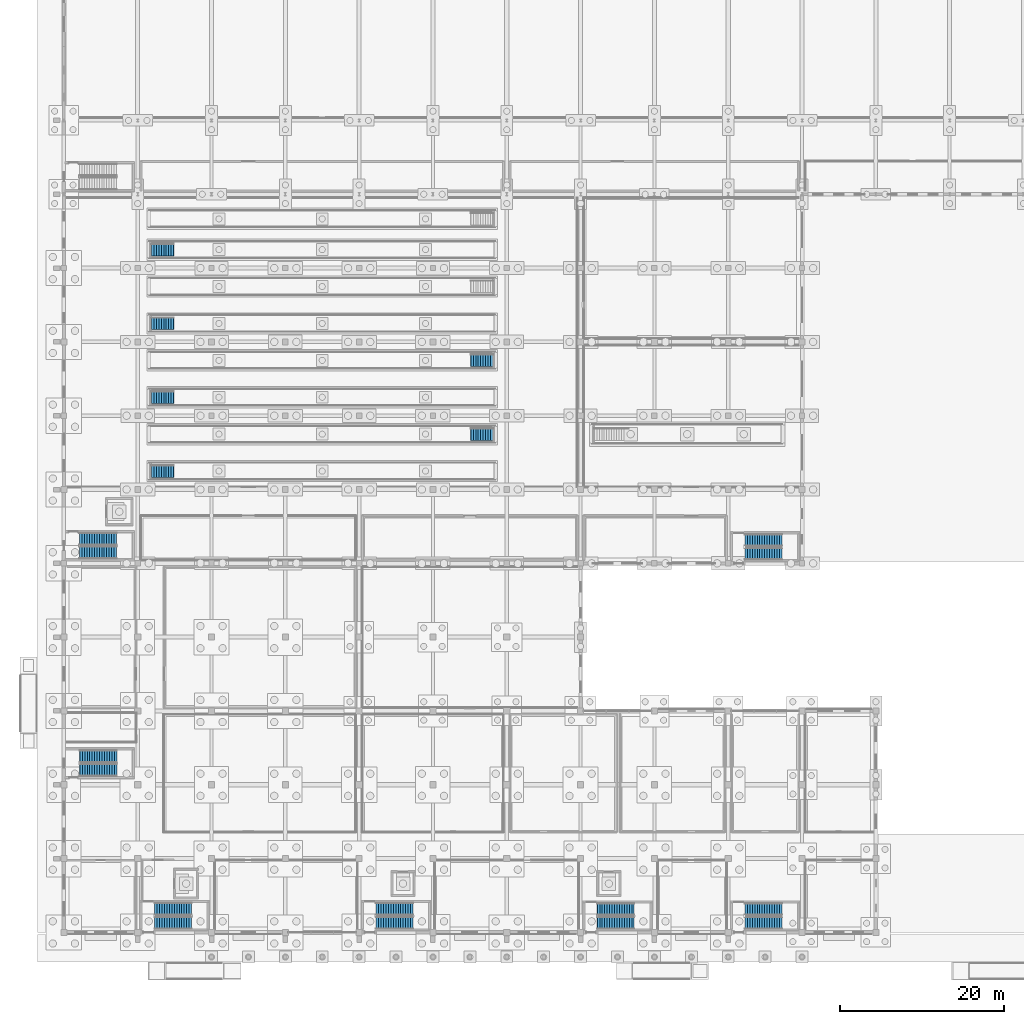
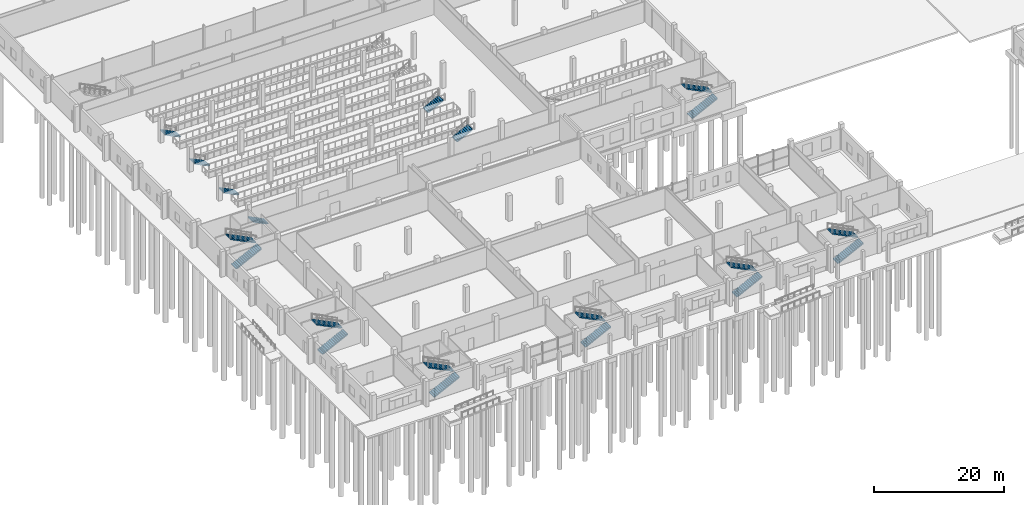
# One storey, part 86 of 112: 20 stair flights, 13 elements without a shape of their own.
"""IFC4 building model written with IfcOpenShell, lengths in metres."""

import ifcopenshell
import ifcopenshell.guid

model = None  # the IFC model being written
_history = None  # IfcOwnerHistory: only IFC2X3 demands one
_inside = {}  # id of a spatial element -> (the spatial element, [elements in it])
_under = {}  # id of a project, library or spatial element -> (it, [spatial elements below it])
_declared = {}  # id of a project -> (the project, [libraries it declares])
_typed = {}  # id of a type object -> (the type object, [elements of that type])
_made_of = {}  # id of a material, layer set ... -> (it, [elements and type objects made of it])


def new_model(schema):
    """Start an empty IFC model of exactly this schema.

    Asked for "IFC4X3", IfcOpenShell would pick the latest addendum, in which some entities
    have other attributes; the version numbers below select the first issue.
    IFC2X3 requires an IfcOwnerHistory on every rooted entity: one is made here for all.
    """
    global model, _history
    if schema == "IFC4X3":
        model = ifcopenshell.file(schema_version=(4, 3, 0, 0))
    else:
        model = ifcopenshell.file(schema=schema)
    _inside.clear()
    _under.clear()
    _declared.clear()
    _typed.clear()
    _made_of.clear()
    _history = None
    if model.schema == "IFC2X3":
        org = make("IfcOrganization", Name="unknown")
        user = make(
            "IfcPersonAndOrganization",
            ThePerson=make("IfcPerson", FamilyName="unknown"),
            TheOrganization=org,
        )
        app = make(
            "IfcApplication",
            ApplicationDeveloper=org,
            Version="unknown",
            ApplicationFullName="unknown",
            ApplicationIdentifier="unknown",
        )
        _history = make(
            "IfcOwnerHistory",
            OwningUser=user,
            OwningApplication=app,
            ChangeAction="ADDED",
            CreationDate=0,
        )
    return model


def make(cls, **values):
    """One entity of the class cls with the attributes given. An attribute that is None is left unset."""
    return model.create_entity(
        cls, **{name: value for name, value in values.items() if value is not None}
    )


def rooted(cls, **values):
    """An entity with a GlobalId (a new one), such as an element, a storey or a relation."""
    return make(cls, GlobalId=ifcopenshell.guid.new(), OwnerHistory=_history, **values)


def si_unit(unit_type, name, prefix=None):
    """IfcSIUnit, for example si_unit("LENGTHUNIT", "METRE", prefix="MILLI")."""
    return make("IfcSIUnit", UnitType=unit_type, Prefix=prefix, Name=name)


def assignment(units):
    """IfcUnitAssignment: the units of a project."""
    return None if units is None else make("IfcUnitAssignment", Units=units)


def point(xyz):
    """IfcCartesianPoint."""
    return None if xyz is None else make("IfcCartesianPoint", Coordinates=xyz)


def direction(xyz):
    """IfcDirection."""
    return None if xyz is None else make("IfcDirection", DirectionRatios=xyz)


def frame(location, z_axis=None, x_axis=None):
    """IfcAxis2Placement3D, a coordinate frame: its origin and axes. An axis left out is left unset."""
    return make(
        "IfcAxis2Placement3D",
        Location=point(location),
        Axis=direction(z_axis),
        RefDirection=direction(x_axis),
    )


def origin():
    """The frame at (0, 0, 0) with its axes left unset."""
    return frame((0.0, 0.0, 0.0))


def place(relative_to, where):
    """IfcLocalPlacement: puts the frame where relative to a parent placement (None: the world)."""
    return make(
        "IfcLocalPlacement", PlacementRelTo=relative_to, RelativePlacement=where
    )


def context(
    kind, dimensions, precision=None, world=None, true_north=None, identifier=None
):
    """IfcGeometricRepresentationContext, for example the 3D "Model" context."""
    return make(
        "IfcGeometricRepresentationContext",
        ContextIdentifier=identifier,
        ContextType=kind,
        CoordinateSpaceDimension=dimensions,
        Precision=precision,
        WorldCoordinateSystem=world,
        TrueNorth=true_north,
    )


def subcontext(parent, identifier, kind, view, scale=None):
    """IfcGeometricRepresentationSubContext, for example "Body" below "Model"."""
    return make(
        "IfcGeometricRepresentationSubContext",
        ContextIdentifier=identifier,
        ContextType=kind,
        ParentContext=parent,
        TargetScale=scale,
        TargetView=view,
    )


def project(units=None, contexts=None):
    """IfcProject with its units and contexts."""
    return rooted(
        "IfcProject",
        Name="project",
        RepresentationContexts=contexts,
        UnitsInContext=assignment(units),
    )


def spatial(cls, under=None, at=None, **own):
    """A site, building, storey or space (cls), placed at a placement, below another one or the project."""
    s = rooted(cls, ObjectPlacement=at, **own)
    if under is not None:
        _under.setdefault(under.id(), (under, []))[1].append(s)
    return s


def polyline(points):
    """IfcPolyline through the points."""
    return make("IfcPolyline", Points=[point(p) for p in points])


def outline(outer, holes=None, kind="AREA"):
    """IfcArbitraryClosedProfileDef: a profile drawn as a closed curve; with holes, ...WithVoids."""
    if holes is None:
        return make("IfcArbitraryClosedProfileDef", ProfileType=kind, OuterCurve=outer)
    return make(
        "IfcArbitraryProfileDefWithVoids",
        ProfileType=kind,
        OuterCurve=outer,
        InnerCurves=holes,
    )


def extrude(swept, where, along, depth):
    """IfcExtrudedAreaSolid: the profile swept, set in the frame where, extruded along a direction by depth."""
    return make(
        "IfcExtrudedAreaSolid",
        SweptArea=swept,
        Position=where,
        ExtrudedDirection=direction(along),
        Depth=depth,
    )


def shape(context_of_items, identifier, shape_type, items):
    """IfcShapeRepresentation: the items that make up one representation, for example the "Body"."""
    return make(
        "IfcShapeRepresentation",
        ContextOfItems=context_of_items,
        RepresentationIdentifier=identifier,
        RepresentationType=shape_type,
        Items=items,
    )


def material(Name=None, Category=None):
    """IfcMaterial."""
    return make("IfcMaterial", Name=Name, Category=Category)


def made_of(thing, what):
    """Note that an element or type object is made of a material, layer set ...; save() writes the relation."""
    if what is not None:
        _made_of.setdefault(what.id(), (what, []))[1].append(thing)
    return thing


def type_object(cls, material=None, **own):
    """A type object (cls), such as IfcWallType, which elements share."""
    return made_of(rooted(cls, **own), material)


def element(
    cls,
    number,
    at=None,
    inside=None,
    cuts=None,
    type_object=None,
    material=None,
    context=None,
    identifier="Body",
    shape_type=None,
    held_by="IfcProductDefinitionShape",
    body=None,
    shapes=None,
    **own,
):
    """One element of the class cls, such as IfcWall. Its Tag is "e" and its number.

    at: its placement. inside: the storey or other place that contains it. cuts: it is an
    opening in that element (IfcRelVoidsElement). A single representation is given by context,
    identifier, shape_type and body (its items); several are given by shapes. held_by: the class
    of the entity that holds the representations. save() writes the other relations.
    """
    e = rooted(cls, Tag="e%d" % number, ObjectPlacement=at, **own)
    if body is not None:
        shapes = [shape(context, identifier, shape_type, body)]
    if shapes is not None:
        e.Representation = make(held_by, Representations=shapes)
    if inside is not None:
        _inside.setdefault(inside.id(), (inside, []))[1].append(e)
    if cuts is not None:
        rooted(
            "IfcRelVoidsElement", RelatingBuildingElement=cuts, RelatedOpeningElement=e
        )
    if type_object is not None:
        _typed.setdefault(type_object.id(), (type_object, []))[1].append(e)
    return made_of(e, material)


def aggregate(whole, parts):
    """IfcRelAggregates: a whole, such as a stair, and the parts it consists of."""
    return rooted("IfcRelAggregates", RelatingObject=whole, RelatedObjects=parts)


def save(model, path):
    """Write the relations noted so far, then the file.

    IfcRelAggregates (storeys below a building ...), IfcRelContainedInSpatialStructure (elements
    in a storey), IfcRelDefinesByType, IfcRelAssociatesMaterial and IfcRelDeclares: one each for
    every whole, place, type object, material and project.
    """
    for whole, parts in _under.values():
        aggregate(whole, parts)
    for where, things in _inside.values():
        rooted(
            "IfcRelContainedInSpatialStructure",
            RelatedElements=things,
            RelatingStructure=where,
        )
    for kind, things in _typed.values():
        rooted("IfcRelDefinesByType", RelatedObjects=things, RelatingType=kind)
    for what, things in _made_of.values():
        rooted("IfcRelAssociatesMaterial", RelatedObjects=things, RelatingMaterial=what)
    for by, libraries in _declared.values():
        rooted("IfcRelDeclares", RelatingContext=by, RelatedDefinitions=libraries)
    model.write(path)


model = new_model("IFC4")

# Units and contexts
model_context = context("Model", 3, precision=1e-05, world=origin(), true_north=direction((0.0, 1.0)))
body_context = subcontext(model_context, "Body", "Model", "MODEL_VIEW")
ifc_project = project(units=[si_unit("LENGTHUNIT", "METRE"), si_unit("AREAUNIT", "SQUARE_METRE"), si_unit("VOLUMEUNIT", "CUBIC_METRE"), si_unit("PLANEANGLEUNIT", "RADIAN"), si_unit("MASSUNIT", "GRAM", prefix="KILO")], contexts=[model_context])

# Site, building, storey
site_placement = place(None, origin())
site = spatial("IfcSite", under=ifc_project, at=site_placement, CompositionType="ELEMENT")
building_placement = place(site_placement, origin())
building = spatial("IfcBuilding", under=site, at=building_placement, Name="Tharagai Park Tramway Depot", CompositionType="ELEMENT")
storey_placement = place(building_placement, origin())
storey = spatial("IfcBuildingStorey", under=building, at=storey_placement, Name="L00", CompositionType="ELEMENT", Elevation=0.0)

# Stair, stair flights
ifc_material_1 = material(Name="Concrete M35", Category="concrete")
stair_type_1 = type_object("IfcStairType", Name="STT-02", PredefinedType="HALF_TURN_STAIR", material=ifc_material_1)
stair_1_placement = place(storey_placement, origin())
stair_1 = element("IfcStair", 1, at=stair_1_placement, inside=storey, type_object=stair_type_1, Name="L00 Protected Exit Stair ST-01", PredefinedType="HALF_TURN_STAIR")
stair_flight_type_1 = type_object("IfcStairFlightType", Name="SFT-02", PredefinedType="STRAIGHT", material=ifc_material_1)
stair_flight_1_placement = place(storey_placement, frame((11.070068359375, 1.175048828125, 0.0), z_axis=(0.0, 0.0, 1.0), x_axis=(1.0, 0.0, 0.0)))
stair_flight_1 = element("IfcStairFlight", 2, at=stair_flight_1_placement, type_object=stair_flight_type_1, Name="ST-01 flight 1", NumberOfRisers=16, NumberOfTreads=15, PredefinedType="STRAIGHT", RiserHeight=0.15, TreadLength=0.3, context=body_context, shape_type="SweptSolid", body=[
    extrude(outline(polyline([(-0.02490234375, 0.0), (0.0, 0.14990234375), (0.300048828125, 0.14990234375), (0.300048828125, 0.300048828125), (0.60009765625, 0.300048828125), (0.60009765625, 0.449951171875), (0.89990234375, 0.449951171875), (0.89990234375, 0.60009765625), (1.199951171875, 0.60009765625), (1.199951171875, 0.75), (1.5, 0.75), (1.5, 0.89990234375), (1.800048828125, 0.89990234375), (1.800048828125, 1.050048828125), (2.10009765625, 1.050048828125), (2.10009765625, 1.199951171875), (2.39990234375, 1.199951171875), (2.39990234375, 1.35009765625), (2.699951171875, 1.35009765625), (2.699951171875, 1.5), (3.0, 1.5), (3.0, 1.64990234375), (3.300048828125, 1.64990234375), (3.300048828125, 1.800048828125), (3.60009765625, 1.800048828125), (3.60009765625, 1.949951171875), (3.89990234375, 1.949951171875), (3.89990234375, 2.10009765625), (4.199951171875, 2.10009765625), (4.199951171875, 2.25), (4.5, 2.25), (4.5, 2.39990234375), (4.52490234375, 2.39990234375), (4.52490234375, 2.08251953125), (0.335205078125, 0.0), (-0.02490234375, -0.0400390625), (-0.02490234375, 0.0)])), frame((0.0, 0.77490234375, 0.0), z_axis=(0.0, -1.0, 0.0), x_axis=(1.0, 0.0, 0.0)), (0.0, 0.0, 1.0), 1.550048828125),
])
stair_flight_2_placement = place(storey_placement, frame((15.570068359375, 2.875, 2.39990234375), z_axis=(0.0, 0.0, 1.0), x_axis=(-1.0, 0.0, 0.0)))
stair_flight_2 = element("IfcStairFlight", 3, at=stair_flight_2_placement, type_object=stair_flight_type_1, Name="ST-01 flight 2", NumberOfRisers=16, NumberOfTreads=15, PredefinedType="STRAIGHT", RiserHeight=0.15, TreadLength=0.3, context=body_context, shape_type="SweptSolid", body=[
    extrude(outline(polyline([(-0.02490234375, 0.0), (0.0, 0.14990234375), (0.300048828125, 0.14990234375), (0.300048828125, 0.300048828125), (0.60009765625, 0.300048828125), (0.60009765625, 0.449951171875), (0.89990234375, 0.449951171875), (0.89990234375, 0.60009765625), (1.199951171875, 0.60009765625), (1.199951171875, 0.75), (1.5, 0.75), (1.5, 0.89990234375), (1.800048828125, 0.89990234375), (1.800048828125, 1.050048828125), (2.10009765625, 1.050048828125), (2.10009765625, 1.199951171875), (2.39990234375, 1.199951171875), (2.39990234375, 1.35009765625), (2.699951171875, 1.35009765625), (2.699951171875, 1.5), (3.0, 1.5), (3.0, 1.64990234375), (3.300048828125, 1.64990234375), (3.300048828125, 1.800048828125), (3.60009765625, 1.800048828125), (3.60009765625, 1.949951171875), (3.89990234375, 1.949951171875), (3.89990234375, 2.10009765625), (4.199951171875, 2.10009765625), (4.199951171875, 2.25), (4.5, 2.25), (4.5, 2.39990234375), (4.52490234375, 2.39990234375), (4.52490234375, 2.08251953125), (0.335205078125, 0.0), (-0.02490234375, -0.0400390625), (-0.02490234375, 0.0)])), frame((0.0, 0.77490234375, 0.0), z_axis=(0.0, -1.0, 0.0), x_axis=(1.0, 0.0, 0.0)), (0.0, 0.0, 1.0), 1.550048828125),
])
aggregate(stair_1, [stair_flight_1, stair_flight_2])

stair_2_placement = place(storey_placement, origin())
stair_2 = element("IfcStair", 4, at=stair_2_placement, inside=storey, type_object=stair_type_1, Name="L00 Protected Exit Stair ST-02", PredefinedType="HALF_TURN_STAIR")
stair_flight_3_placement = place(storey_placement, frame((38.070068359375, 1.175048828125, 0.0), z_axis=(0.0, 0.0, 1.0), x_axis=(1.0, 0.0, 0.0)))
stair_flight_3 = element("IfcStairFlight", 5, at=stair_flight_3_placement, type_object=stair_flight_type_1, Name="ST-02 flight 1", NumberOfRisers=16, NumberOfTreads=15, PredefinedType="STRAIGHT", RiserHeight=0.15, TreadLength=0.3, context=body_context, shape_type="SweptSolid", body=[
    extrude(outline(polyline([(-0.02490234375, 0.0), (0.0, 0.14990234375), (0.300048828125, 0.14990234375), (0.300048828125, 0.300048828125), (0.60009765625, 0.300048828125), (0.60009765625, 0.449951171875), (0.89990234375, 0.449951171875), (0.89990234375, 0.60009765625), (1.199951171875, 0.60009765625), (1.199951171875, 0.75), (1.5, 0.75), (1.5, 0.89990234375), (1.800048828125, 0.89990234375), (1.800048828125, 1.050048828125), (2.10009765625, 1.050048828125), (2.10009765625, 1.199951171875), (2.39990234375, 1.199951171875), (2.39990234375, 1.35009765625), (2.699951171875, 1.35009765625), (2.699951171875, 1.5), (3.0, 1.5), (3.0, 1.64990234375), (3.300048828125, 1.64990234375), (3.300048828125, 1.800048828125), (3.60009765625, 1.800048828125), (3.60009765625, 1.949951171875), (3.89990234375, 1.949951171875), (3.89990234375, 2.10009765625), (4.199951171875, 2.10009765625), (4.199951171875, 2.25), (4.5, 2.25), (4.5, 2.39990234375), (4.52490234375, 2.39990234375), (4.52490234375, 2.08251953125), (0.335205078125, 0.0), (-0.02490234375, -0.0400390625), (-0.02490234375, 0.0)])), frame((0.0, 0.77490234375, 0.0), z_axis=(0.0, -1.0, 0.0), x_axis=(1.0, 0.0, 0.0)), (0.0, 0.0, 1.0), 1.550048828125),
])
stair_flight_4_placement = place(storey_placement, frame((42.570068359375, 2.875, 2.39990234375), z_axis=(0.0, 0.0, 1.0), x_axis=(-1.0, 0.0, 0.0)))
stair_flight_4 = element("IfcStairFlight", 6, at=stair_flight_4_placement, type_object=stair_flight_type_1, Name="ST-02 flight 2", NumberOfRisers=16, NumberOfTreads=15, PredefinedType="STRAIGHT", RiserHeight=0.15, TreadLength=0.3, context=body_context, shape_type="SweptSolid", body=[
    extrude(outline(polyline([(-0.02490234375, 0.0), (0.0, 0.14990234375), (0.300048828125, 0.14990234375), (0.300048828125, 0.300048828125), (0.60009765625, 0.300048828125), (0.60009765625, 0.449951171875), (0.89990234375, 0.449951171875), (0.89990234375, 0.60009765625), (1.199951171875, 0.60009765625), (1.199951171875, 0.75), (1.5, 0.75), (1.5, 0.89990234375), (1.800048828125, 0.89990234375), (1.800048828125, 1.050048828125), (2.10009765625, 1.050048828125), (2.10009765625, 1.199951171875), (2.39990234375, 1.199951171875), (2.39990234375, 1.35009765625), (2.699951171875, 1.35009765625), (2.699951171875, 1.5), (3.0, 1.5), (3.0, 1.64990234375), (3.300048828125, 1.64990234375), (3.300048828125, 1.800048828125), (3.60009765625, 1.800048828125), (3.60009765625, 1.949951171875), (3.89990234375, 1.949951171875), (3.89990234375, 2.10009765625), (4.199951171875, 2.10009765625), (4.199951171875, 2.25), (4.5, 2.25), (4.5, 2.39990234375), (4.52490234375, 2.39990234375), (4.52490234375, 2.08251953125), (0.335205078125, 0.0), (-0.02490234375, -0.0400390625), (-0.02490234375, 0.0)])), frame((0.0, 0.77490234375, 0.0), z_axis=(0.0, -1.0, 0.0), x_axis=(1.0, 0.0, 0.0)), (0.0, 0.0, 1.0), 1.550048828125),
])
aggregate(stair_2, [stair_flight_3, stair_flight_4])

stair_3_placement = place(storey_placement, origin())
stair_3 = element("IfcStair", 7, at=stair_3_placement, inside=storey, type_object=stair_type_1, Name="L00 Protected Exit Stair ST-03", PredefinedType="HALF_TURN_STAIR")
stair_flight_5_placement = place(storey_placement, frame((1.949951171875, 19.77490234375, 0.0), z_axis=(0.0, 0.0, 1.0), x_axis=(1.0, 0.0, 0.0)))
stair_flight_5 = element("IfcStairFlight", 8, at=stair_flight_5_placement, type_object=stair_flight_type_1, Name="ST-03 flight 1", NumberOfRisers=16, NumberOfTreads=15, PredefinedType="STRAIGHT", RiserHeight=0.15, TreadLength=0.3, context=body_context, shape_type="SweptSolid", body=[
    extrude(outline(polyline([(-0.02490234375, 0.0), (0.0, 0.14990234375), (0.300048828125, 0.14990234375), (0.300048828125, 0.300048828125), (0.60009765625, 0.300048828125), (0.60009765625, 0.449951171875), (0.89990234375, 0.449951171875), (0.89990234375, 0.60009765625), (1.199951171875, 0.60009765625), (1.199951171875, 0.75), (1.5, 0.75), (1.5, 0.89990234375), (1.800048828125, 0.89990234375), (1.800048828125, 1.050048828125), (2.10009765625, 1.050048828125), (2.10009765625, 1.199951171875), (2.39990234375, 1.199951171875), (2.39990234375, 1.35009765625), (2.699951171875, 1.35009765625), (2.699951171875, 1.5), (3.0, 1.5), (3.0, 1.64990234375), (3.300048828125, 1.64990234375), (3.300048828125, 1.800048828125), (3.60009765625, 1.800048828125), (3.60009765625, 1.949951171875), (3.89990234375, 1.949951171875), (3.89990234375, 2.10009765625), (4.199951171875, 2.10009765625), (4.199951171875, 2.25), (4.5, 2.25), (4.5, 2.39990234375), (4.52490234375, 2.39990234375), (4.52490234375, 2.08251953125), (0.335205078125, 0.0), (-0.02490234375, -0.0400390625), (-0.02490234375, 0.0)])), frame((0.0, 0.77490234375, 0.0), z_axis=(0.0, -1.0, 0.0), x_axis=(1.0, 0.0, 0.0)), (0.0, 0.0, 1.0), 1.550048828125),
])
stair_flight_6_placement = place(storey_placement, frame((6.449951171875, 21.47509765625, 2.39990234375), z_axis=(0.0, 0.0, 1.0), x_axis=(-1.0, 0.0, 0.0)))
stair_flight_6 = element("IfcStairFlight", 9, at=stair_flight_6_placement, type_object=stair_flight_type_1, Name="ST-03 flight 2", NumberOfRisers=16, NumberOfTreads=15, PredefinedType="STRAIGHT", RiserHeight=0.15, TreadLength=0.3, context=body_context, shape_type="SweptSolid", body=[
    extrude(outline(polyline([(-0.02490234375, 0.0), (0.0, 0.14990234375), (0.300048828125, 0.14990234375), (0.300048828125, 0.300048828125), (0.60009765625, 0.300048828125), (0.60009765625, 0.449951171875), (0.89990234375, 0.449951171875), (0.89990234375, 0.60009765625), (1.199951171875, 0.60009765625), (1.199951171875, 0.75), (1.5, 0.75), (1.5, 0.89990234375), (1.800048828125, 0.89990234375), (1.800048828125, 1.050048828125), (2.10009765625, 1.050048828125), (2.10009765625, 1.199951171875), (2.39990234375, 1.199951171875), (2.39990234375, 1.35009765625), (2.699951171875, 1.35009765625), (2.699951171875, 1.5), (3.0, 1.5), (3.0, 1.64990234375), (3.300048828125, 1.64990234375), (3.300048828125, 1.800048828125), (3.60009765625, 1.800048828125), (3.60009765625, 1.949951171875), (3.89990234375, 1.949951171875), (3.89990234375, 2.10009765625), (4.199951171875, 2.10009765625), (4.199951171875, 2.25), (4.5, 2.25), (4.5, 2.39990234375), (4.52490234375, 2.39990234375), (4.52490234375, 2.08251953125), (0.335205078125, 0.0), (-0.02490234375, -0.0400390625), (-0.02490234375, 0.0)])), frame((0.0, 0.77490234375, 0.0), z_axis=(0.0, -1.0, 0.0), x_axis=(1.0, 0.0, 0.0)), (0.0, 0.0, 1.0), 1.550048828125),
])
aggregate(stair_3, [stair_flight_5, stair_flight_6])

stair_4_placement = place(storey_placement, origin())
stair_4 = element("IfcStair", 10, at=stair_4_placement, inside=storey, type_object=stair_type_1, Name="L00 Protected Exit Stair ST-04", PredefinedType="HALF_TURN_STAIR")
stair_flight_7_placement = place(storey_placement, frame((65.0400390625, 1.159912109375, 0.0), z_axis=(0.0, 0.0, 1.0), x_axis=(1.0, 0.0, 0.0)))
stair_flight_7 = element("IfcStairFlight", 11, at=stair_flight_7_placement, type_object=stair_flight_type_1, Name="ST-04 flight 1", NumberOfRisers=16, NumberOfTreads=15, PredefinedType="STRAIGHT", RiserHeight=0.15, TreadLength=0.3, context=body_context, shape_type="SweptSolid", body=[
    extrude(outline(polyline([(-0.02490234375, 0.0), (0.0, 0.14990234375), (0.300048828125, 0.14990234375), (0.300048828125, 0.300048828125), (0.60009765625, 0.300048828125), (0.60009765625, 0.449951171875), (0.89990234375, 0.449951171875), (0.89990234375, 0.60009765625), (1.199951171875, 0.60009765625), (1.199951171875, 0.75), (1.5, 0.75), (1.5, 0.89990234375), (1.800048828125, 0.89990234375), (1.800048828125, 1.050048828125), (2.10009765625, 1.050048828125), (2.10009765625, 1.199951171875), (2.39990234375, 1.199951171875), (2.39990234375, 1.35009765625), (2.699951171875, 1.35009765625), (2.699951171875, 1.5), (3.0, 1.5), (3.0, 1.64990234375), (3.300048828125, 1.64990234375), (3.300048828125, 1.800048828125), (3.60009765625, 1.800048828125), (3.60009765625, 1.949951171875), (3.89990234375, 1.949951171875), (3.89990234375, 2.10009765625), (4.199951171875, 2.10009765625), (4.199951171875, 2.25), (4.5, 2.25), (4.5, 2.39990234375), (4.52490234375, 2.39990234375), (4.52490234375, 2.08251953125), (0.335205078125, 0.0), (-0.02490234375, -0.0400390625), (-0.02490234375, 0.0)])), frame((0.0, 0.760009765625, 0.0), z_axis=(0.0, -1.0, 0.0), x_axis=(1.0, 0.0, 0.0)), (0.0, 0.0, 1.0), 1.52001953125),
])
stair_flight_8_placement = place(storey_placement, frame((69.5400390625, 2.830078125, 2.39990234375), z_axis=(0.0, 0.0, 1.0), x_axis=(-1.0, 0.0, 0.0)))
stair_flight_8 = element("IfcStairFlight", 12, at=stair_flight_8_placement, type_object=stair_flight_type_1, Name="ST-04 flight 2", NumberOfRisers=16, NumberOfTreads=15, PredefinedType="STRAIGHT", RiserHeight=0.15, TreadLength=0.3, context=body_context, shape_type="SweptSolid", body=[
    extrude(outline(polyline([(-0.02490234375, 0.0), (0.0, 0.14990234375), (0.300048828125, 0.14990234375), (0.300048828125, 0.300048828125), (0.60009765625, 0.300048828125), (0.60009765625, 0.449951171875), (0.89990234375, 0.449951171875), (0.89990234375, 0.60009765625), (1.199951171875, 0.60009765625), (1.199951171875, 0.75), (1.5, 0.75), (1.5, 0.89990234375), (1.800048828125, 0.89990234375), (1.800048828125, 1.050048828125), (2.10009765625, 1.050048828125), (2.10009765625, 1.199951171875), (2.39990234375, 1.199951171875), (2.39990234375, 1.35009765625), (2.699951171875, 1.35009765625), (2.699951171875, 1.5), (3.0, 1.5), (3.0, 1.64990234375), (3.300048828125, 1.64990234375), (3.300048828125, 1.800048828125), (3.60009765625, 1.800048828125), (3.60009765625, 1.949951171875), (3.89990234375, 1.949951171875), (3.89990234375, 2.10009765625), (4.199951171875, 2.10009765625), (4.199951171875, 2.25), (4.5, 2.25), (4.5, 2.39990234375), (4.52490234375, 2.39990234375), (4.52490234375, 2.08251953125), (0.335205078125, 0.0), (-0.02490234375, -0.0400390625), (-0.02490234375, 0.0)])), frame((0.0, 0.760009765625, 0.0), z_axis=(0.0, -1.0, 0.0), x_axis=(1.0, 0.0, 0.0)), (0.0, 0.0, 1.0), 1.52001953125),
])
aggregate(stair_4, [stair_flight_7, stair_flight_8])

stair_5_placement = place(storey_placement, origin())
stair_5 = element("IfcStair", 13, at=stair_5_placement, inside=storey, type_object=stair_type_1, Name="L00 Protected Exit Stair ST-05", PredefinedType="HALF_TURN_STAIR")
stair_flight_9_placement = place(storey_placement, frame((83.0400390625, 1.159912109375, 0.0), z_axis=(0.0, 0.0, 1.0), x_axis=(1.0, 0.0, 0.0)))
stair_flight_9 = element("IfcStairFlight", 14, at=stair_flight_9_placement, type_object=stair_flight_type_1, Name="ST-05 flight 1", NumberOfRisers=16, NumberOfTreads=15, PredefinedType="STRAIGHT", RiserHeight=0.15, TreadLength=0.3, context=body_context, shape_type="SweptSolid", body=[
    extrude(outline(polyline([(-0.02490234375, 0.0), (0.0, 0.14990234375), (0.300048828125, 0.14990234375), (0.300048828125, 0.300048828125), (0.60009765625, 0.300048828125), (0.60009765625, 0.449951171875), (0.89990234375, 0.449951171875), (0.89990234375, 0.60009765625), (1.199951171875, 0.60009765625), (1.199951171875, 0.75), (1.5, 0.75), (1.5, 0.89990234375), (1.800048828125, 0.89990234375), (1.800048828125, 1.050048828125), (2.10009765625, 1.050048828125), (2.10009765625, 1.199951171875), (2.39990234375, 1.199951171875), (2.39990234375, 1.35009765625), (2.699951171875, 1.35009765625), (2.699951171875, 1.5), (3.0, 1.5), (3.0, 1.64990234375), (3.300048828125, 1.64990234375), (3.300048828125, 1.800048828125), (3.60009765625, 1.800048828125), (3.60009765625, 1.949951171875), (3.89990234375, 1.949951171875), (3.89990234375, 2.10009765625), (4.199951171875, 2.10009765625), (4.199951171875, 2.25), (4.5, 2.25), (4.5, 2.39990234375), (4.52490234375, 2.39990234375), (4.52490234375, 2.08251953125), (0.335205078125, 0.0), (-0.02490234375, -0.0400390625), (-0.02490234375, 0.0)])), frame((0.0, 0.760009765625, 0.0), z_axis=(0.0, -1.0, 0.0), x_axis=(1.0, 0.0, 0.0)), (0.0, 0.0, 1.0), 1.52001953125),
])
stair_flight_10_placement = place(storey_placement, frame((87.5400390625, 2.830078125, 2.39990234375), z_axis=(0.0, 0.0, 1.0), x_axis=(-1.0, 0.0, 0.0)))
stair_flight_10 = element("IfcStairFlight", 15, at=stair_flight_10_placement, type_object=stair_flight_type_1, Name="ST-05 flight 2", NumberOfRisers=16, NumberOfTreads=15, PredefinedType="STRAIGHT", RiserHeight=0.15, TreadLength=0.3, context=body_context, shape_type="SweptSolid", body=[
    extrude(outline(polyline([(-0.02490234375, 0.0), (0.0, 0.14990234375), (0.300048828125, 0.14990234375), (0.300048828125, 0.300048828125), (0.60009765625, 0.300048828125), (0.60009765625, 0.449951171875), (0.89990234375, 0.449951171875), (0.89990234375, 0.60009765625), (1.199951171875, 0.60009765625), (1.199951171875, 0.75), (1.5, 0.75), (1.5, 0.89990234375), (1.800048828125, 0.89990234375), (1.800048828125, 1.050048828125), (2.10009765625, 1.050048828125), (2.10009765625, 1.199951171875), (2.39990234375, 1.199951171875), (2.39990234375, 1.35009765625), (2.699951171875, 1.35009765625), (2.699951171875, 1.5), (3.0, 1.5), (3.0, 1.64990234375), (3.300048828125, 1.64990234375), (3.300048828125, 1.800048828125), (3.60009765625, 1.800048828125), (3.60009765625, 1.949951171875), (3.89990234375, 1.949951171875), (3.89990234375, 2.10009765625), (4.199951171875, 2.10009765625), (4.199951171875, 2.25), (4.5, 2.25), (4.5, 2.39990234375), (4.52490234375, 2.39990234375), (4.52490234375, 2.08251953125), (0.335205078125, 0.0), (-0.02490234375, -0.0400390625), (-0.02490234375, 0.0)])), frame((0.0, 0.760009765625, 0.0), z_axis=(0.0, -1.0, 0.0), x_axis=(1.0, 0.0, 0.0)), (0.0, 0.0, 1.0), 1.52001953125),
])
aggregate(stair_5, [stair_flight_9, stair_flight_10])

stair_6_placement = place(storey_placement, origin())
stair_6 = element("IfcStair", 16, at=stair_6_placement, inside=storey, type_object=stair_type_1, Name="L00 Protected Exit Stair ST-08", PredefinedType="HALF_TURN_STAIR")
stair_flight_11_placement = place(storey_placement, frame((1.919921875, 46.31005859375, 0.0), z_axis=(0.0, 0.0, 1.0), x_axis=(1.0, 0.0, 0.0)))
stair_flight_11 = element("IfcStairFlight", 17, at=stair_flight_11_placement, type_object=stair_flight_type_1, Name="ST-08 flight 1", NumberOfRisers=16, NumberOfTreads=15, PredefinedType="STRAIGHT", RiserHeight=0.15, TreadLength=0.3, context=body_context, shape_type="SweptSolid", body=[
    extrude(outline(polyline([(-0.02490234375, 0.0), (0.0, 0.14990234375), (0.300048828125, 0.14990234375), (0.300048828125, 0.300048828125), (0.60009765625, 0.300048828125), (0.60009765625, 0.449951171875), (0.89990234375, 0.449951171875), (0.89990234375, 0.60009765625), (1.199951171875, 0.60009765625), (1.199951171875, 0.75), (1.5, 0.75), (1.5, 0.89990234375), (1.800048828125, 0.89990234375), (1.800048828125, 1.050048828125), (2.10009765625, 1.050048828125), (2.10009765625, 1.199951171875), (2.39990234375, 1.199951171875), (2.39990234375, 1.35009765625), (2.699951171875, 1.35009765625), (2.699951171875, 1.5), (3.0, 1.5), (3.0, 1.64990234375), (3.300048828125, 1.64990234375), (3.300048828125, 1.800048828125), (3.60009765625, 1.800048828125), (3.60009765625, 1.949951171875), (3.89990234375, 1.949951171875), (3.89990234375, 2.10009765625), (4.199951171875, 2.10009765625), (4.199951171875, 2.25), (4.5, 2.25), (4.5, 2.39990234375), (4.52490234375, 2.39990234375), (4.52490234375, 2.08251953125), (0.335205078125, 0.0), (-0.02490234375, -0.0400390625), (-0.02490234375, 0.0)])), frame((0.0, 0.760009765625, 0.0), z_axis=(0.0, -1.0, 0.0), x_axis=(1.0, 0.0, 0.0)), (0.0, 0.0, 1.0), 1.52001953125),
])
stair_flight_12_placement = place(storey_placement, frame((6.419921875, 47.97998046875, 2.39990234375), z_axis=(0.0, 0.0, 1.0), x_axis=(-1.0, 0.0, 0.0)))
stair_flight_12 = element("IfcStairFlight", 18, at=stair_flight_12_placement, type_object=stair_flight_type_1, Name="ST-08 flight 2", NumberOfRisers=16, NumberOfTreads=15, PredefinedType="STRAIGHT", RiserHeight=0.15, TreadLength=0.3, context=body_context, shape_type="SweptSolid", body=[
    extrude(outline(polyline([(-0.02490234375, 0.0), (0.0, 0.14990234375), (0.300048828125, 0.14990234375), (0.300048828125, 0.300048828125), (0.60009765625, 0.300048828125), (0.60009765625, 0.449951171875), (0.89990234375, 0.449951171875), (0.89990234375, 0.60009765625), (1.199951171875, 0.60009765625), (1.199951171875, 0.75), (1.5, 0.75), (1.5, 0.89990234375), (1.800048828125, 0.89990234375), (1.800048828125, 1.050048828125), (2.10009765625, 1.050048828125), (2.10009765625, 1.199951171875), (2.39990234375, 1.199951171875), (2.39990234375, 1.35009765625), (2.699951171875, 1.35009765625), (2.699951171875, 1.5), (3.0, 1.5), (3.0, 1.64990234375), (3.300048828125, 1.64990234375), (3.300048828125, 1.800048828125), (3.60009765625, 1.800048828125), (3.60009765625, 1.949951171875), (3.89990234375, 1.949951171875), (3.89990234375, 2.10009765625), (4.199951171875, 2.10009765625), (4.199951171875, 2.25), (4.5, 2.25), (4.5, 2.39990234375), (4.52490234375, 2.39990234375), (4.52490234375, 2.08251953125), (0.335205078125, 0.0), (-0.02490234375, -0.0400390625), (-0.02490234375, 0.0)])), frame((0.0, 0.760009765625, 0.0), z_axis=(0.0, -1.0, 0.0), x_axis=(1.0, 0.0, 0.0)), (0.0, 0.0, 1.0), 1.52001953125),
])
aggregate(stair_6, [stair_flight_11, stair_flight_12])

stair_7_placement = place(storey_placement, origin())
stair_7 = element("IfcStair", 19, at=stair_7_placement, inside=storey, type_object=stair_type_1, Name="L00 Protected Exit Stair ST-09", PredefinedType="HALF_TURN_STAIR")
stair_flight_13_placement = place(storey_placement, frame((83.0400390625, 46.159912109375, 0.0), z_axis=(0.0, 0.0, 1.0), x_axis=(1.0, 0.0, 0.0)))
stair_flight_13 = element("IfcStairFlight", 20, at=stair_flight_13_placement, type_object=stair_flight_type_1, Name="ST-09 flight 1", NumberOfRisers=16, NumberOfTreads=15, PredefinedType="STRAIGHT", RiserHeight=0.15, TreadLength=0.3, context=body_context, shape_type="SweptSolid", body=[
    extrude(outline(polyline([(-0.02490234375, 0.0), (0.0, 0.14990234375), (0.300048828125, 0.14990234375), (0.300048828125, 0.300048828125), (0.60009765625, 0.300048828125), (0.60009765625, 0.449951171875), (0.89990234375, 0.449951171875), (0.89990234375, 0.60009765625), (1.199951171875, 0.60009765625), (1.199951171875, 0.75), (1.5, 0.75), (1.5, 0.89990234375), (1.800048828125, 0.89990234375), (1.800048828125, 1.050048828125), (2.10009765625, 1.050048828125), (2.10009765625, 1.199951171875), (2.39990234375, 1.199951171875), (2.39990234375, 1.35009765625), (2.699951171875, 1.35009765625), (2.699951171875, 1.5), (3.0, 1.5), (3.0, 1.64990234375), (3.300048828125, 1.64990234375), (3.300048828125, 1.800048828125), (3.60009765625, 1.800048828125), (3.60009765625, 1.949951171875), (3.89990234375, 1.949951171875), (3.89990234375, 2.10009765625), (4.199951171875, 2.10009765625), (4.199951171875, 2.25), (4.5, 2.25), (4.5, 2.39990234375), (4.52490234375, 2.39990234375), (4.52490234375, 2.08251953125), (0.335205078125, 0.0), (-0.02490234375, -0.0400390625), (-0.02490234375, 0.0)])), frame((0.0, 0.760009765625, 0.0), z_axis=(0.0, -1.0, 0.0), x_axis=(1.0, 0.0, 0.0)), (0.0, 0.0, 1.0), 1.52001953125),
])
stair_flight_14_placement = place(storey_placement, frame((87.5400390625, 47.830078125, 2.39990234375), z_axis=(0.0, 0.0, 1.0), x_axis=(-1.0, 0.0, 0.0)))
stair_flight_14 = element("IfcStairFlight", 21, at=stair_flight_14_placement, type_object=stair_flight_type_1, Name="ST-09 flight 2", NumberOfRisers=16, NumberOfTreads=15, PredefinedType="STRAIGHT", RiserHeight=0.15, TreadLength=0.3, context=body_context, shape_type="SweptSolid", body=[
    extrude(outline(polyline([(-0.02490234375, 0.0), (0.0, 0.14990234375), (0.300048828125, 0.14990234375), (0.300048828125, 0.300048828125), (0.60009765625, 0.300048828125), (0.60009765625, 0.449951171875), (0.89990234375, 0.449951171875), (0.89990234375, 0.60009765625), (1.199951171875, 0.60009765625), (1.199951171875, 0.75), (1.5, 0.75), (1.5, 0.89990234375), (1.800048828125, 0.89990234375), (1.800048828125, 1.050048828125), (2.10009765625, 1.050048828125), (2.10009765625, 1.199951171875), (2.39990234375, 1.199951171875), (2.39990234375, 1.35009765625), (2.699951171875, 1.35009765625), (2.699951171875, 1.5), (3.0, 1.5), (3.0, 1.64990234375), (3.300048828125, 1.64990234375), (3.300048828125, 1.800048828125), (3.60009765625, 1.800048828125), (3.60009765625, 1.949951171875), (3.89990234375, 1.949951171875), (3.89990234375, 2.10009765625), (4.199951171875, 2.10009765625), (4.199951171875, 2.25), (4.5, 2.25), (4.5, 2.39990234375), (4.52490234375, 2.39990234375), (4.52490234375, 2.08251953125), (0.335205078125, 0.0), (-0.02490234375, -0.0400390625), (-0.02490234375, 0.0)])), frame((0.0, 0.760009765625, 0.0), z_axis=(0.0, -1.0, 0.0), x_axis=(1.0, 0.0, 0.0)), (0.0, 0.0, 1.0), 1.52001953125),
])
aggregate(stair_7, [stair_flight_13, stair_flight_14])

# Stair, stair flight
ifc_material_2 = material(Name="Concrete M40", Category="concrete")
stair_type_2 = type_object("IfcStairType", Name="STT-01", PredefinedType="STRAIGHT_RUN_STAIR", material=ifc_material_2)
stair_8_placement = place(storey_placement, origin())
stair_8 = element("IfcStair", 22, at=stair_8_placement, inside=storey, type_object=stair_type_2, Name="Inspection Pit Track 1 Access Stair", PredefinedType="STRAIGHT_RUN_STAIR")
stair_flight_type_2 = type_object("IfcStairFlightType", Name="SFT-03", PredefinedType="STRAIGHT", material=ifc_material_2)
stair_flight_15_placement = place(storey_placement, frame((13.3798828125, 56.25, -1.5), z_axis=(0.0, 0.0, 1.0), x_axis=(-1.0, 0.0, 0.0)))
stair_flight_15 = element("IfcStairFlight", 23, at=stair_flight_15_placement, type_object=stair_flight_type_2, Name="Inspection Pit Track 1 Stair Flight", NumberOfRisers=10, NumberOfTreads=9, PredefinedType="STRAIGHT", RiserHeight=0.15, TreadLength=0.3, context=body_context, shape_type="SweptSolid", body=[
    extrude(outline(polyline([(-0.02490234375, 0.0), (0.0, 0.14990234375), (0.300048828125, 0.14990234375), (0.300048828125, 0.300048828125), (0.60009765625, 0.300048828125), (0.60009765625, 0.449951171875), (0.89990234375, 0.449951171875), (0.89990234375, 0.60009765625), (1.199951171875, 0.60009765625), (1.199951171875, 0.75), (1.5, 0.75), (1.5, 0.89990234375), (1.800048828125, 0.89990234375), (1.800048828125, 1.050048828125), (2.10009765625, 1.050048828125), (2.10009765625, 1.199951171875), (2.39990234375, 1.199951171875), (2.39990234375, 1.35009765625), (2.699951171875, 1.35009765625), (2.699951171875, 1.5), (2.72509765625, 1.5), (2.72509765625, 1.182373046875), (0.335205078125, 0.0), (-0.02490234375, -0.0400390625), (-0.02490234375, 0.0)])), frame((0.0, 0.7548828125, 0.0), z_axis=(0.0, -1.0, 0.0), x_axis=(1.0, 0.0, 0.0)), (0.0, 0.0, 1.0), 1.510009765625),
])
aggregate(stair_8, [stair_flight_15])

stair_9_placement = place(storey_placement, origin())
stair_9 = element("IfcStair", 24, at=stair_9_placement, inside=storey, type_object=stair_type_2, Name="Inspection Pit Track 2 Access Stair", PredefinedType="STRAIGHT_RUN_STAIR")
stair_flight_16_placement = place(storey_placement, frame((49.6201171875, 60.75, -1.5), z_axis=(0.0, 0.0, 1.0), x_axis=(1.0, 0.0, 0.0)))
stair_flight_16 = element("IfcStairFlight", 25, at=stair_flight_16_placement, type_object=stair_flight_type_2, Name="Inspection Pit Track 2 Stair Flight", NumberOfRisers=10, NumberOfTreads=9, PredefinedType="STRAIGHT", RiserHeight=0.15, TreadLength=0.3, context=body_context, shape_type="SweptSolid", body=[
    extrude(outline(polyline([(-0.02490234375, 0.0), (0.0, 0.14990234375), (0.300048828125, 0.14990234375), (0.300048828125, 0.300048828125), (0.60009765625, 0.300048828125), (0.60009765625, 0.449951171875), (0.89990234375, 0.449951171875), (0.89990234375, 0.60009765625), (1.199951171875, 0.60009765625), (1.199951171875, 0.75), (1.5, 0.75), (1.5, 0.89990234375), (1.800048828125, 0.89990234375), (1.800048828125, 1.050048828125), (2.10009765625, 1.050048828125), (2.10009765625, 1.199951171875), (2.39990234375, 1.199951171875), (2.39990234375, 1.35009765625), (2.699951171875, 1.35009765625), (2.699951171875, 1.5), (2.72509765625, 1.5), (2.72509765625, 1.182373046875), (0.335205078125, 0.0), (-0.02490234375, -0.0400390625), (-0.02490234375, 0.0)])), frame((0.0, 0.7548828125, 0.0), z_axis=(0.0, -1.0, 0.0), x_axis=(1.0, 0.0, 0.0)), (0.0, 0.0, 1.0), 1.510009765625),
])
aggregate(stair_9, [stair_flight_16])

stair_10_placement = place(storey_placement, origin())
stair_10 = element("IfcStair", 26, at=stair_10_placement, inside=storey, type_object=stair_type_2, Name="Inspection Pit Track 3 Access Stair", PredefinedType="STRAIGHT_RUN_STAIR")
stair_flight_17_placement = place(storey_placement, frame((13.3798828125, 65.25, -1.5), z_axis=(0.0, 0.0, 1.0), x_axis=(-1.0, 0.0, 0.0)))
stair_flight_17 = element("IfcStairFlight", 27, at=stair_flight_17_placement, type_object=stair_flight_type_2, Name="Inspection Pit Track 3 Stair Flight", NumberOfRisers=10, NumberOfTreads=9, PredefinedType="STRAIGHT", RiserHeight=0.15, TreadLength=0.3, context=body_context, shape_type="SweptSolid", body=[
    extrude(outline(polyline([(-0.02490234375, 0.0), (0.0, 0.14990234375), (0.300048828125, 0.14990234375), (0.300048828125, 0.300048828125), (0.60009765625, 0.300048828125), (0.60009765625, 0.449951171875), (0.89990234375, 0.449951171875), (0.89990234375, 0.60009765625), (1.199951171875, 0.60009765625), (1.199951171875, 0.75), (1.5, 0.75), (1.5, 0.89990234375), (1.800048828125, 0.89990234375), (1.800048828125, 1.050048828125), (2.10009765625, 1.050048828125), (2.10009765625, 1.199951171875), (2.39990234375, 1.199951171875), (2.39990234375, 1.35009765625), (2.699951171875, 1.35009765625), (2.699951171875, 1.5), (2.72509765625, 1.5), (2.72509765625, 1.182373046875), (0.335205078125, 0.0), (-0.02490234375, -0.0400390625), (-0.02490234375, 0.0)])), frame((0.0, 0.7548828125, 0.0), z_axis=(0.0, -1.0, 0.0), x_axis=(1.0, 0.0, 0.0)), (0.0, 0.0, 1.0), 1.510009765625),
])
aggregate(stair_10, [stair_flight_17])

stair_11_placement = place(storey_placement, origin())
stair_11 = element("IfcStair", 28, at=stair_11_placement, inside=storey, type_object=stair_type_2, Name="Inspection Pit Track 4 Access Stair", PredefinedType="STRAIGHT_RUN_STAIR")
stair_flight_18_placement = place(storey_placement, frame((49.6201171875, 69.75, -1.5), z_axis=(0.0, 0.0, 1.0), x_axis=(1.0, 0.0, 0.0)))
stair_flight_18 = element("IfcStairFlight", 29, at=stair_flight_18_placement, type_object=stair_flight_type_2, Name="Inspection Pit Track 4 Stair Flight", NumberOfRisers=10, NumberOfTreads=9, PredefinedType="STRAIGHT", RiserHeight=0.15, TreadLength=0.3, context=body_context, shape_type="SweptSolid", body=[
    extrude(outline(polyline([(-0.02490234375, 0.0), (0.0, 0.14990234375), (0.300048828125, 0.14990234375), (0.300048828125, 0.300048828125), (0.60009765625, 0.300048828125), (0.60009765625, 0.449951171875), (0.89990234375, 0.449951171875), (0.89990234375, 0.60009765625), (1.199951171875, 0.60009765625), (1.199951171875, 0.75), (1.5, 0.75), (1.5, 0.89990234375), (1.800048828125, 0.89990234375), (1.800048828125, 1.050048828125), (2.10009765625, 1.050048828125), (2.10009765625, 1.199951171875), (2.39990234375, 1.199951171875), (2.39990234375, 1.35009765625), (2.699951171875, 1.35009765625), (2.699951171875, 1.5), (2.72509765625, 1.5), (2.72509765625, 1.182373046875), (0.335205078125, 0.0), (-0.02490234375, -0.0400390625), (-0.02490234375, 0.0)])), frame((0.0, 0.7548828125, 0.0), z_axis=(0.0, -1.0, 0.0), x_axis=(1.0, 0.0, 0.0)), (0.0, 0.0, 1.0), 1.510009765625),
])
aggregate(stair_11, [stair_flight_18])

stair_12_placement = place(storey_placement, origin())
stair_12 = element("IfcStair", 30, at=stair_12_placement, inside=storey, type_object=stair_type_2, Name="Inspection Pit Track 5 Access Stair", PredefinedType="STRAIGHT_RUN_STAIR")
stair_flight_19_placement = place(storey_placement, frame((13.3798828125, 74.25, -1.5), z_axis=(0.0, 0.0, 1.0), x_axis=(-1.0, 0.0, 0.0)))
stair_flight_19 = element("IfcStairFlight", 31, at=stair_flight_19_placement, type_object=stair_flight_type_2, Name="Inspection Pit Track 5 Stair Flight", NumberOfRisers=10, NumberOfTreads=9, PredefinedType="STRAIGHT", RiserHeight=0.15, TreadLength=0.3, context=body_context, shape_type="SweptSolid", body=[
    extrude(outline(polyline([(-0.02490234375, 0.0), (0.0, 0.14990234375), (0.300048828125, 0.14990234375), (0.300048828125, 0.300048828125), (0.60009765625, 0.300048828125), (0.60009765625, 0.449951171875), (0.89990234375, 0.449951171875), (0.89990234375, 0.60009765625), (1.199951171875, 0.60009765625), (1.199951171875, 0.75), (1.5, 0.75), (1.5, 0.89990234375), (1.800048828125, 0.89990234375), (1.800048828125, 1.050048828125), (2.10009765625, 1.050048828125), (2.10009765625, 1.199951171875), (2.39990234375, 1.199951171875), (2.39990234375, 1.35009765625), (2.699951171875, 1.35009765625), (2.699951171875, 1.5), (2.72509765625, 1.5), (2.72509765625, 1.182373046875), (0.335205078125, 0.0), (-0.02490234375, -0.0400390625), (-0.02490234375, 0.0)])), frame((0.0, 0.7548828125, 0.0), z_axis=(0.0, -1.0, 0.0), x_axis=(1.0, 0.0, 0.0)), (0.0, 0.0, 1.0), 1.510009765625),
])
aggregate(stair_12, [stair_flight_19])

stair_13_placement = place(storey_placement, origin())
stair_13 = element("IfcStair", 32, at=stair_13_placement, inside=storey, type_object=stair_type_2, Name="Inspection Pit Track 7 Access Stair", PredefinedType="STRAIGHT_RUN_STAIR")
stair_flight_20_placement = place(storey_placement, frame((13.3798828125, 83.25, -1.5), z_axis=(0.0, 0.0, 1.0), x_axis=(-1.0, 0.0, 0.0)))
stair_flight_20 = element("IfcStairFlight", 33, at=stair_flight_20_placement, type_object=stair_flight_type_2, Name="Inspection Pit Track 7 Stair Flight", NumberOfRisers=10, NumberOfTreads=9, PredefinedType="STRAIGHT", RiserHeight=0.15, TreadLength=0.3, context=body_context, shape_type="SweptSolid", body=[
    extrude(outline(polyline([(-0.02490234375, 0.0), (0.0, 0.14990234375), (0.300048828125, 0.14990234375), (0.300048828125, 0.300048828125), (0.60009765625, 0.300048828125), (0.60009765625, 0.449951171875), (0.89990234375, 0.449951171875), (0.89990234375, 0.60009765625), (1.199951171875, 0.60009765625), (1.199951171875, 0.75), (1.5, 0.75), (1.5, 0.89990234375), (1.800048828125, 0.89990234375), (1.800048828125, 1.050048828125), (2.10009765625, 1.050048828125), (2.10009765625, 1.199951171875), (2.39990234375, 1.199951171875), (2.39990234375, 1.35009765625), (2.699951171875, 1.35009765625), (2.699951171875, 1.5), (2.72509765625, 1.5), (2.72509765625, 1.182373046875), (0.335205078125, 0.0), (-0.02490234375, -0.0400390625), (-0.02490234375, 0.0)])), frame((0.0, 0.7548828125, 0.0), z_axis=(0.0, -1.0, 0.0), x_axis=(1.0, 0.0, 0.0)), (0.0, 0.0, 1.0), 1.510009765625),
])
aggregate(stair_13, [stair_flight_20])

save(model, "model.ifc")
